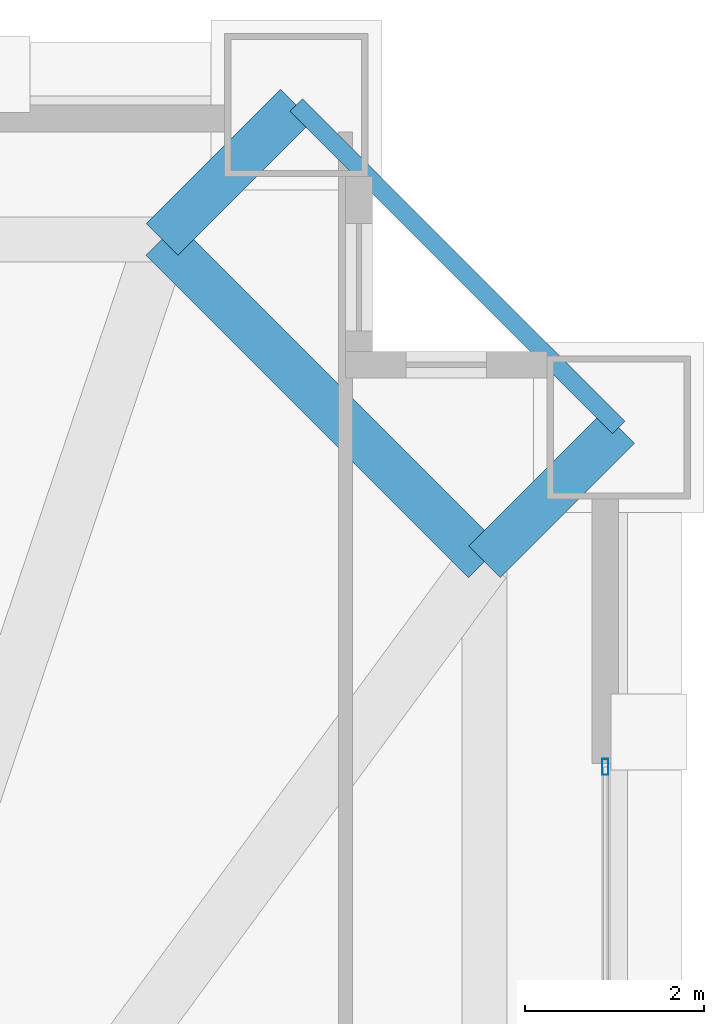
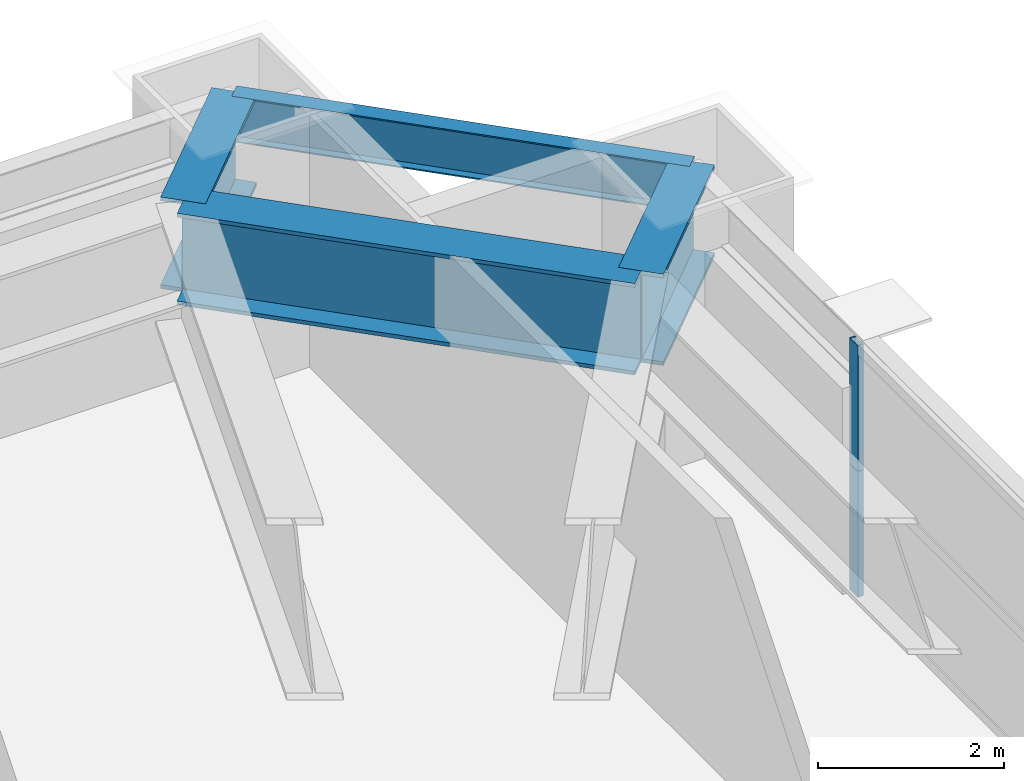
# One storey, part 36 of 45: 4 beams, 2 members, 1 element without a shape of its own.
"""IFC4 building model written with IfcOpenShell, lengths in metres."""

from ifc_helpers import new_model, si_unit, direction, frame, origin, origin_2d, place, context, subcontext, project, spatial, hollow_rectangle, i_section, extrude, source, transform, mapped, material, layer, layer_set, material_profile, profile_set, type_object, element, aggregate, save


model = new_model("IFC4")

# Units and contexts
model_context = context("Model", 3, precision=1e-05, world=origin(), true_north=direction((0.0, 1.0)))
body_context = subcontext(model_context, "Body", "Model", "MODEL_VIEW")
ifc_project = project(units=[si_unit("LENGTHUNIT", "METRE"), si_unit("AREAUNIT", "SQUARE_METRE"), si_unit("VOLUMEUNIT", "CUBIC_METRE"), si_unit("PLANEANGLEUNIT", "RADIAN"), si_unit("MASSUNIT", "GRAM", prefix="KILO"), si_unit("THERMODYNAMICTEMPERATUREUNIT", "KELVIN"), si_unit("POWERUNIT", "WATT")], contexts=[model_context])

# Site, building, storey
site_placement = place(None, origin())
site = spatial("IfcSite", under=ifc_project, at=site_placement, CompositionType="ELEMENT")
building_placement = place(site_placement, origin())
building = spatial("IfcBuilding", under=site, at=building_placement, Name="Yuzanri Waterfront Tower", CompositionType="ELEMENT")
storey_placement = place(building_placement, frame((0.0, 0.0, 163.199951171875)))
storey = spatial("IfcBuildingStorey", under=building, at=storey_placement, Name="L43", CompositionType="ELEMENT", Elevation=163.199951171875)

# Beams
ifc_material_1 = material(Name="Steel Q355B", Category="steel")
ifc_material_profile_1 = material_profile(ifc_material_1, i_section(OverallWidth=0.199951171875, OverallDepth=0.60009765625, WebThickness=0.010986328125, FlangeThickness=0.01708984375, at=origin_2d()), Name="HN 600x200x11x17")
ifc_profile_set_1 = profile_set([ifc_material_profile_1], Name="Steel Q355B")
beam_type_1 = type_object("IfcBeamType", Name="Perimeter Spandrel Q355B HN 600x200", PredefinedType="SPANDREL", material=ifc_profile_set_1)
shared_shape_1 = source(origin(), body_context, "Body", "SweptSolid", [
    extrude(i_section(OverallWidth=0.199951171875, OverallDepth=0.60009765625, WebThickness=0.010986328125, FlangeThickness=0.01708984375, at=origin_2d()), origin(), (0.0, 0.0, 1.0), 5.091064453125),
])
beam_1_placement = place(storey_placement, frame((60.60009765625, 45.800048828125, 3.0), z_axis=(-0.707130757816, 0.707082803744, 0.0), x_axis=(-0.707082803744, -0.707130757816, 0.0)))
element("IfcBeam", 1, at=beam_1_placement, inside=storey, type_object=beam_type_1, Name="L43 Perimeter Spandrel E3-N3", PredefinedType="SPANDREL", context=body_context, shape_type="MappedRepresentation", body=[
    mapped(shared_shape_1, transform((0.0, 0.0, 0.0), scale=1.0)),
])
ifc_material_2 = material(Name="Steel Q420GJC", Category="steel")
ifc_material_profile_2 = material_profile(ifc_material_2, i_section(OverallWidth=0.5, OverallDepth=1.199951171875, WebThickness=0.028076171875, FlangeThickness=0.050048828125, at=origin_2d()), Name="PG 1200x500x28x50")
ifc_profile_set_2 = profile_set([ifc_material_profile_2], Name="Steel Q420GJC")
beam_type_2 = type_object("IfcBeamType", Name="Setback Transfer Girder Q420GJC PG 1200x500", PredefinedType="USERDEFINED", material=ifc_profile_set_2)
shared_shape_2 = source(origin(), body_context, "Body", "SweptSolid", [
    extrude(i_section(OverallWidth=0.5, OverallDepth=1.199951171875, WebThickness=0.028076171875, FlangeThickness=0.050048828125, at=origin_2d()), origin(), (0.0, 0.0, 1.0), 2.121337890625),
])
for number, where, z_axis, x_axis, name in (
    (2, (55.5, 47.89990234375, 2.699951171875), (0.707106781187, 0.707106781187, 0.0), (-0.707106781187, 0.707106781187, 0.0), "L43 Setback Step Transfer N3"),
    (3, (59.10009765625, 44.300048828125, 2.699951171875), (0.707106781187, 0.707106781187, 0.0), (-0.707106781187, 0.707106781187, 0.0), "L43 Setback Step Transfer E3"),
):
    element("IfcBeam", number, at=place(storey_placement, frame(where, z_axis=z_axis, x_axis=x_axis)), inside=storey, type_object=beam_type_2, Name=name, ObjectType="GIRDER", PredefinedType="USERDEFINED", context=body_context, shape_type="MappedRepresentation", body=[
        mapped(shared_shape_2, transform((0.0, 0.0, 0.0), scale=1.0)),
    ])
shared_shape_3 = source(origin(), body_context, "Body", "SweptSolid", [
    extrude(i_section(OverallWidth=0.5, OverallDepth=1.199951171875, WebThickness=0.028076171875, FlangeThickness=0.050048828125, at=origin_2d()), origin(), (0.0, 0.0, 1.0), 5.091064453125),
])
beam_2_placement = place(storey_placement, frame((59.10009765625, 44.300048828125, 2.699951171875), z_axis=(-0.707130757816, 0.707082803744, 0.0), x_axis=(-0.707082803744, -0.707130757816, 0.0)))
element("IfcBeam", 4, at=beam_2_placement, inside=storey, type_object=beam_type_2, Name="L43 Setback Upper Ring E3-N3", ObjectType="GIRDER", PredefinedType="USERDEFINED", context=body_context, shape_type="MappedRepresentation", body=[
    mapped(shared_shape_3, transform((0.0, 0.0, 0.0), scale=1.0)),
])

# Curtain wall, members
ifc_material_3 = material(Name="Anodized Architectural Bronze", Category="metal")
ifc_layer = layer(ifc_material_3, 0.159912109375)
ifc_layer_set = layer_set([ifc_layer], Name="Anodized Architectural Bronze")
curtain_wall_type = type_object("IfcCurtainWallType", Name="Anodized Bronze Hotel Upper-Tier Solar-Control Unitized Curtain Wall 7800", PredefinedType="NOTDEFINED", material=ifc_layer_set)
curtain_wall_placement = place(storey_placement, origin())
curtain_wall = element("IfcCurtainWall", 5, at=curtain_wall_placement, inside=storey, type_object=curtain_wall_type, Name="L43 Curtain Wall CW-L43-ER", PredefinedType="NOTDEFINED")
ifc_material_4 = material(Name="Anodized Architectural Bronze", Category="metal")
ifc_material_profile_3 = material_profile(ifc_material_4, hollow_rectangle(XDim=0.070068359375, YDim=0.179931640625, WallThickness=0.00390625, at=origin_2d()), Name="CWM 70x180")
ifc_profile_set_3 = profile_set([ifc_material_profile_3], Name="Anodized Architectural Bronze")
member_type = type_object("IfcMemberType", Name="Anodized Bronze Standard Curtain-Wall Mullion 70x180", PredefinedType="MULLION", material=ifc_profile_set_3)
shared_shape_4 = source(origin(), body_context, "Body", "SweptSolid", [
    extrude(hollow_rectangle(XDim=0.070068359375, YDim=0.179931640625, WallThickness=0.00390625, at=origin_2d()), origin(), (0.0, 0.0, 1.0), 1.64794921875),
])
member_1_placement = place(storey_placement, frame((60.449951171875, 42.010009765625, 0.0), z_axis=(0.0, 0.0, 1.0), x_axis=(1.0, 0.0, 0.0)))
member_1 = element("IfcMember", 6, at=member_1_placement, type_object=member_type, Name="CW-L43-ER Lower Mullion 02", PredefinedType="MULLION", context=body_context, shape_type="MappedRepresentation", body=[
    mapped(shared_shape_4, transform((0.0, 0.0, 0.0), scale=1.0)),
])
member_2_placement = place(storey_placement, frame((60.449951171875, 42.010009765625, 1.652099609375), z_axis=(0.0, 0.0, 1.0), x_axis=(1.0, 0.0, 0.0)))
member_2 = element("IfcMember", 7, at=member_2_placement, type_object=member_type, Name="CW-L43-ER Upper Mullion 02", PredefinedType="MULLION", context=body_context, shape_type="MappedRepresentation", body=[
    mapped(shared_shape_4, transform((0.0, 0.0, 0.0), scale=1.0)),
])
aggregate(curtain_wall, [member_1, member_2])

save(model, "model.ifc")
